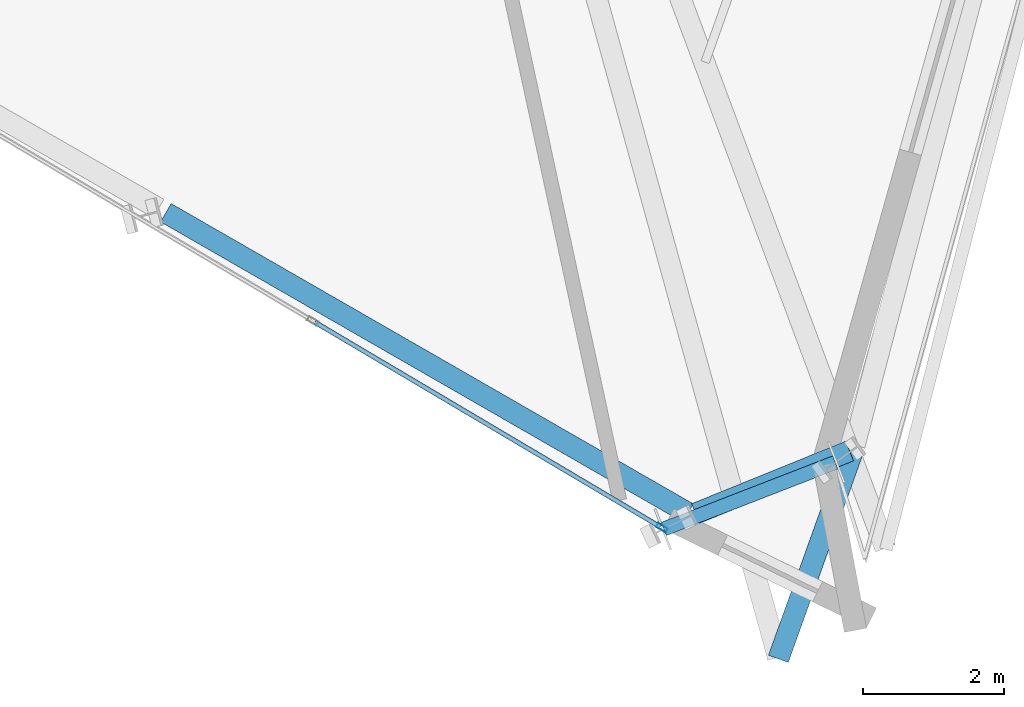
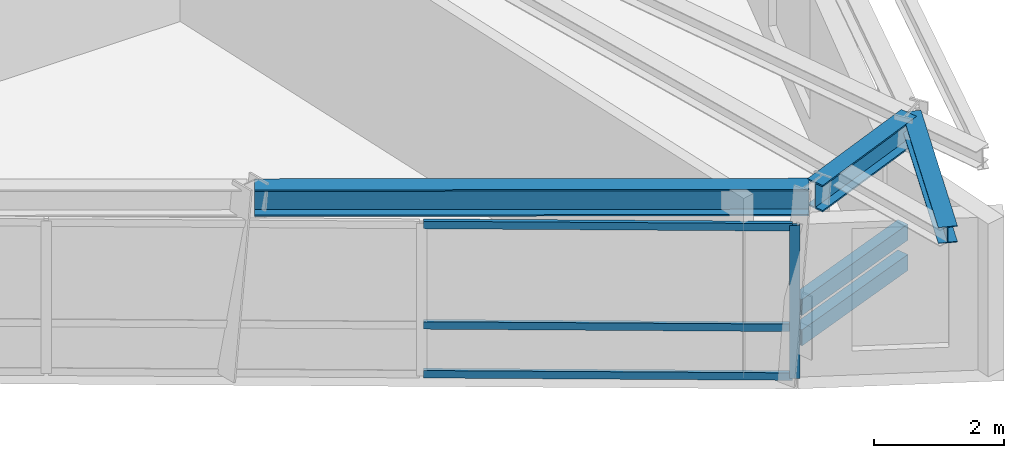
# One storey, part 4 of 14: 6 members, 3 beams, 1 element without a shape of its own.
"""IFC4 building model written with IfcOpenShell, lengths in metres."""

from ifc_helpers import new_model, si_unit, direction, frame, origin, origin_2d, place, context, subcontext, project, spatial, hollow_rectangle, i_section, extrude, source, transform, mapped, material, material_profile, profile_set, type_object, element, aggregate, save


model = new_model("IFC4")

# Units and contexts
model_context = context("Model", 3, precision=1e-05, world=origin(), true_north=direction((0.0, 1.0)))
body_context = subcontext(model_context, "Body", "Model", "MODEL_VIEW")
ifc_project = project(units=[si_unit("LENGTHUNIT", "METRE"), si_unit("AREAUNIT", "SQUARE_METRE"), si_unit("VOLUMEUNIT", "CUBIC_METRE"), si_unit("PLANEANGLEUNIT", "RADIAN"), si_unit("MASSUNIT", "GRAM", prefix="KILO")], contexts=[model_context])

# Site, building, storey
site_placement = place(None, origin())
site = spatial("IfcSite", under=ifc_project, at=site_placement, CompositionType="ELEMENT")
building_placement = place(site_placement, origin())
building = spatial("IfcBuilding", under=site, at=building_placement, Name="Olszyna Solenne Hotel", CompositionType="ELEMENT")
storey_placement = place(building_placement, frame((0.0, 0.0, 259.699951171875)))
storey = spatial("IfcBuildingStorey", under=building, at=storey_placement, Name="L69", CompositionType="ELEMENT", Elevation=259.699951171875)

# Beams
ifc_material_1 = material(Name="Steel S355J2", Category="steel")
ifc_material_profile_1 = material_profile(ifc_material_1, i_section(OverallWidth=0.300048828125, OverallDepth=0.5, WebThickness=0.014404296875, FlangeThickness=0.028076171875, at=origin_2d()), Name="HEB 500", Category="load-bearing")
ifc_profile_set_1 = profile_set([ifc_material_profile_1], Name="Steel S355J2")
beam_type_1 = type_object("IfcBeamType", Name="BM-S3", PredefinedType="BEAM", material=ifc_profile_set_1)
shared_shape_1 = source(origin(), body_context, "Body", "SweptSolid", [
    extrude(i_section(OverallWidth=0.300048828125, OverallDepth=0.5, WebThickness=0.014404296875, FlangeThickness=0.028076171875, at=origin_2d()), origin(), (0.0, 0.0, 1.0), 8.5390625),
])
beam_1_placement = place(storey_placement, frame((36.338134765625, 8.55712890625, 3.130126953125), z_axis=(0.866881591992, -0.498514097559, 0.0), x_axis=(0.498514097559, 0.866881591992, 0.0)))
element("IfcBeam", 1, at=beam_1_placement, inside=storey, type_object=beam_type_1, Name="Perimeter spandrel beam BM-S3 B-L69-2033", PredefinedType="BEAM", context=body_context, shape_type="MappedRepresentation", body=[
    mapped(shared_shape_1, transform((0.0, 0.0, 0.0), x_axis=(1.0, 0.0, 0.0), y_axis=(0.0, 1.0, 0.0), z_axis=(0.0, 0.0, 1.0), scale=1.0)),
])
shared_shape_2 = source(origin(), body_context, "Body", "SweptSolid", [
    extrude(i_section(OverallWidth=0.300048828125, OverallDepth=0.5, WebThickness=0.014404296875, FlangeThickness=0.028076171875, at=origin_2d()), origin(), (0.0, 0.0, 1.0), 2.355224609375),
])
beam_2_placement = place(storey_placement, frame((43.847900390625, 4.293212890625, 3.130126953125), z_axis=(0.926541112987, 0.376193521932, 0.0), x_axis=(-0.376193521932, 0.926541112987, 0.0)))
element("IfcBeam", 2, at=beam_2_placement, inside=storey, type_object=beam_type_1, Name="Perimeter spandrel beam BM-S3 B-L69-2034", PredefinedType="BEAM", context=body_context, shape_type="MappedRepresentation", body=[
    mapped(shared_shape_2, transform((0.0, 0.0, 0.0), x_axis=(1.0, 0.0, 0.0), y_axis=(0.0, 1.0, 0.0), z_axis=(0.0, 0.0, 1.0), scale=1.0)),
])
ifc_material_profile_2 = material_profile(ifc_material_1, i_section(OverallWidth=0.300048828125, OverallDepth=0.31005859375, WebThickness=0.009033203125, FlangeThickness=0.015380859375, at=origin_2d()), Name="HEA 320", Category="load-bearing")
ifc_profile_set_2 = profile_set([ifc_material_profile_2], Name="Steel S355J2")
beam_type_2 = type_object("IfcBeamType", Name="BM-G3", PredefinedType="BEAM", material=ifc_profile_set_2)
shared_shape_3 = source(origin(), body_context, "Body", "SweptSolid", [
    extrude(i_section(OverallWidth=0.300048828125, OverallDepth=0.31005859375, WebThickness=0.009033203125, FlangeThickness=0.015380859375, at=origin_2d()), origin(), (0.0, 0.0, 1.0), 3.154052734375),
])
beam_3_placement = place(storey_placement, frame((46.085693359375, 5.20166015625, 3.22509765625), z_axis=(-0.337650240758, -0.941271647781, 0.0), x_axis=(0.941271647781, -0.337650240758, 0.0)))
element("IfcBeam", 3, at=beam_3_placement, inside=storey, type_object=beam_type_2, Name="Prism side edge beam BM-G3 B-L69-2047", PredefinedType="BEAM", context=body_context, shape_type="MappedRepresentation", body=[
    mapped(shared_shape_3, transform((0.0, 0.0, 0.0), x_axis=(1.0, 0.0, 0.0), y_axis=(0.0, 1.0, 0.0), z_axis=(0.0, 0.0, 1.0), scale=1.0)),
])

# Members
ifc_material_profile_3 = material_profile(ifc_material_1, hollow_rectangle(XDim=0.199951171875, YDim=0.300048828125, WallThickness=0.01611328125, at=origin_2d()), Name="RHS 300x200x16", Category="load-bearing")
ifc_profile_set_3 = profile_set([ifc_material_profile_3], Name="Steel S355J2")
member_type_1 = type_object("IfcMemberType", Name="CH-PR1", PredefinedType="CHORD", material=ifc_profile_set_3)
shared_shape_4 = source(origin(), body_context, "Body", "SweptSolid", [
    extrude(hollow_rectangle(XDim=0.199951171875, YDim=0.300048828125, WallThickness=0.01611328125, at=origin_2d()), origin(), (0.0, 0.0, 1.0), 2.6064453125),
])
for number, where, z_axis, x_axis, name in (
    (4, (43.39794921875, 4.073974609375, 1.35009765625), (0.932308460624, 0.361664118001, 0.0), (-0.361664118001, 0.932308460624, 0.0), "Glass-prism tie chord CH-PR1 M-L69-PR1"),
    (5, (43.39794921875, 4.073974609375, 0.780029296875), (0.932308460624, 0.361664118001, 0.0), (-0.361664118001, 0.932308460624, 0.0), "Glass-prism tie chord CH-PR1 M-L69-PR2"),
):
    element("IfcMember", number, at=place(storey_placement, frame(where, z_axis=z_axis, x_axis=x_axis)), inside=storey, type_object=member_type_1, Name=name, PredefinedType="CHORD", context=body_context, shape_type="MappedRepresentation", body=[
        mapped(shared_shape_4, transform((0.0, 0.0, 0.0), x_axis=(1.0, 0.0, 0.0), y_axis=(0.0, 1.0, 0.0), z_axis=(0.0, 0.0, 1.0), scale=1.0)),
    ])

# Curtain wall, members
ifc_material_2 = material(Name="Anodised bronze aluminium", Category="aluminium")
curtain_wall_type = type_object("IfcCurtainWallType", Name="CW-SYS-4", PredefinedType="NOTDEFINED", material=ifc_material_2)
curtain_wall_placement = place(storey_placement, origin())
curtain_wall = element("IfcCurtainWall", 6, at=curtain_wall_placement, inside=storey, type_object=curtain_wall_type, Name="Unitised curtain wall CW-SYS-4 CW-L69-01", PredefinedType="NOTDEFINED")
ifc_material_profile_4 = material_profile(ifc_material_2, hollow_rectangle(XDim=0.06494140625, YDim=0.159912109375, WallThickness=0.00390625, at=origin_2d()), Name="MULL 160x65x4", Category="load-bearing")
ifc_profile_set_4 = profile_set([ifc_material_profile_4], Name="Anodised bronze aluminium")
member_type_2 = type_object("IfcMemberType", Name="CW-M3", PredefinedType="MULLION", material=ifc_profile_set_4)
shared_shape_5 = source(origin(), body_context, "Body", "SweptSolid", [
    extrude(hollow_rectangle(XDim=0.06494140625, YDim=0.159912109375, WallThickness=0.00390625, at=origin_2d()), origin(), (0.0, 0.0, 1.0), 2.8720703125),
])
member_1_placement = place(storey_placement, frame((43.369873046875, 4.090576171875, 0.0), z_axis=(0.0, 0.0, 1.0), x_axis=(0.509708693758, 0.860347050618, 0.0)))
member_1 = element("IfcMember", 7, at=member_1_placement, type_object=member_type_2, Name="Curtain-wall mullion CW-M3 CM-L69-01-04", PredefinedType="MULLION", context=body_context, shape_type="MappedRepresentation", body=[
    mapped(shared_shape_5, transform((0.0, 0.0, 0.0), x_axis=(1.0, 0.0, 0.0), y_axis=(0.0, 1.0, 0.0), z_axis=(0.0, 0.0, 1.0), scale=1.0)),
])
ifc_material_profile_5 = material_profile(ifc_material_2, hollow_rectangle(XDim=0.06494140625, YDim=0.139892578125, WallThickness=0.00390625, at=origin_2d()), Name="TRAN 140x65x4", Category="load-bearing")
ifc_profile_set_5 = profile_set([ifc_material_profile_5], Name="Anodised bronze aluminium")
member_type_3 = type_object("IfcMemberType", Name="CW-T2", PredefinedType="USERDEFINED", material=ifc_profile_set_5)
shared_shape_6 = source(origin(), body_context, "Body", "SweptSolid", [
    extrude(hollow_rectangle(XDim=0.06494140625, YDim=0.139892578125, WallThickness=0.00390625, at=origin_2d()), origin(), (0.0, 0.0, 1.0), 5.685546875),
])
member_2_placement = place(storey_placement, frame((38.450439453125, 7.005126953125, 0.032470703125), z_axis=(0.860351513293, -0.509701161049, 0.0), x_axis=(0.509701161049, 0.860351513293, 0.0)))
member_2 = element("IfcMember", 8, at=member_2_placement, type_object=member_type_3, Name="Curtain-wall transom CW-T2 CT-L69-01-07", ObjectType="TRANSOM", PredefinedType="USERDEFINED", context=body_context, shape_type="MappedRepresentation", body=[
    mapped(shared_shape_6, transform((0.0, 0.0, 0.0), x_axis=(1.0, 0.0, 0.0), y_axis=(0.0, 1.0, 0.0), z_axis=(0.0, 0.0, 1.0), scale=1.0)),
])
member_3_placement = place(storey_placement, frame((38.450439453125, 7.005126953125, 0.949951171875), z_axis=(0.860351513293, -0.509701161049, 0.0), x_axis=(0.509701161049, 0.860351513293, 0.0)))
member_3 = element("IfcMember", 9, at=member_3_placement, type_object=member_type_3, Name="Curtain-wall transom CW-T2 CT-L69-01-08", ObjectType="TRANSOM", PredefinedType="USERDEFINED", context=body_context, shape_type="MappedRepresentation", body=[
    mapped(shared_shape_6, transform((0.0, 0.0, 0.0), x_axis=(1.0, 0.0, 0.0), y_axis=(0.0, 1.0, 0.0), z_axis=(0.0, 0.0, 1.0), scale=1.0)),
])
member_4_placement = place(storey_placement, frame((38.450439453125, 7.005126953125, 2.839599609375), z_axis=(0.860351513293, -0.509701161049, 0.0), x_axis=(0.509701161049, 0.860351513293, 0.0)))
member_4 = element("IfcMember", 10, at=member_4_placement, type_object=member_type_3, Name="Curtain-wall transom CW-T2 CT-L69-01-09", ObjectType="TRANSOM", PredefinedType="USERDEFINED", context=body_context, shape_type="MappedRepresentation", body=[
    mapped(shared_shape_6, transform((0.0, 0.0, 0.0), x_axis=(1.0, 0.0, 0.0), y_axis=(0.0, 1.0, 0.0), z_axis=(0.0, 0.0, 1.0), scale=1.0)),
])
aggregate(curtain_wall, [member_1, member_2, member_3, member_4])

save(model, "model.ifc")
